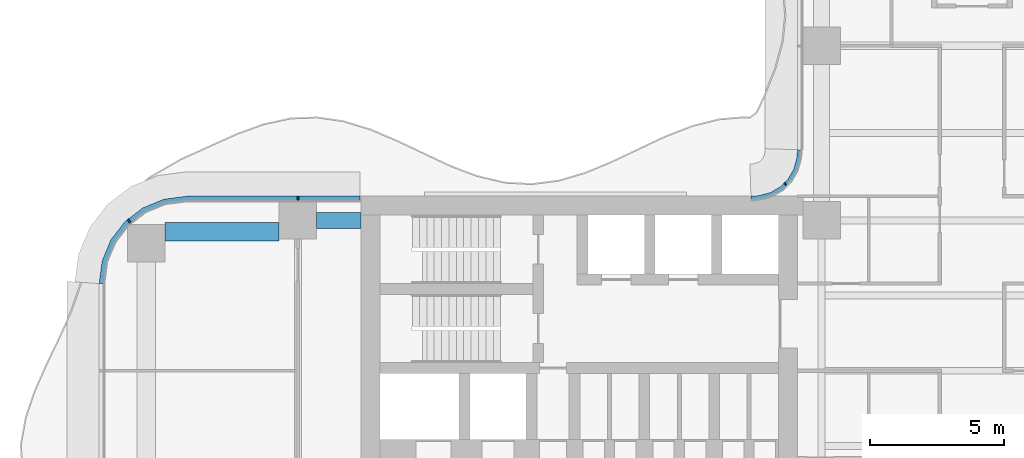
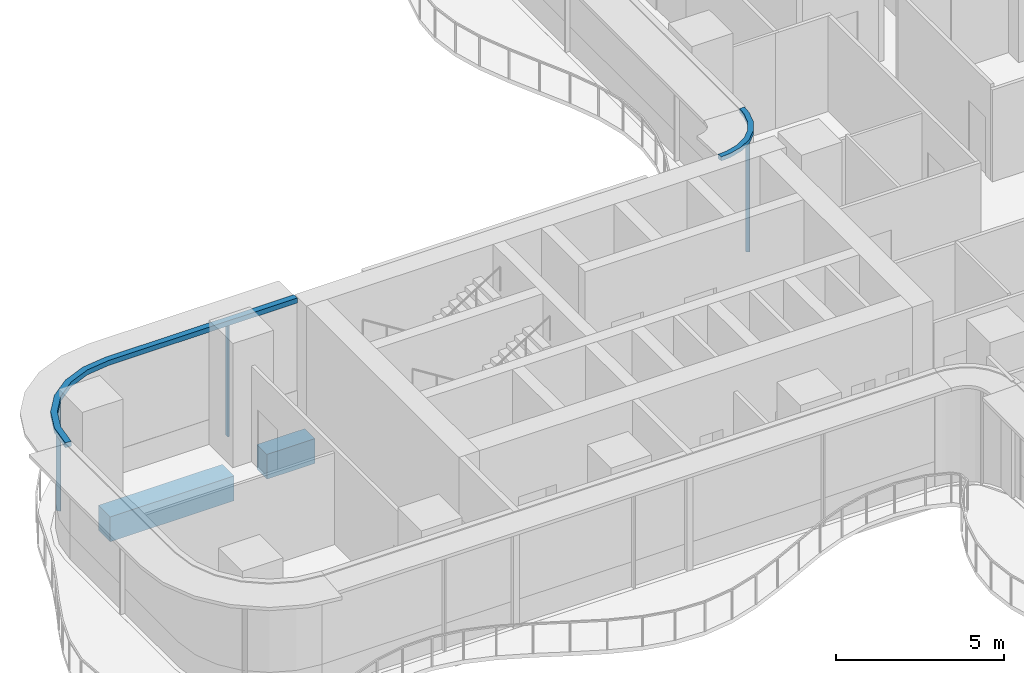
# One storey, part 8 of 22: 5 members, 2 beams, 2 elements without a shape of their own.
"""IFC4 building model written with IfcOpenShell, lengths in metres."""

from ifc_helpers import new_model, si_unit, direction, frame, origin, origin_2d, place, context, subcontext, project, spatial, polyline, rectangle, outline, extrude, source, transform, mapped, material, layer, layer_set, material_profile, profile_set, type_object, element, aggregate, save


model = new_model("IFC4")

# Units and contexts
model_context = context("Model", 3, precision=1e-05, world=origin(), true_north=direction((0.0, 1.0)))
body_context = subcontext(model_context, "Body", "Model", "MODEL_VIEW")
ifc_project = project(units=[si_unit("LENGTHUNIT", "METRE"), si_unit("AREAUNIT", "SQUARE_METRE"), si_unit("VOLUMEUNIT", "CUBIC_METRE"), si_unit("PLANEANGLEUNIT", "RADIAN"), si_unit("MASSUNIT", "GRAM", prefix="KILO")], contexts=[model_context])

# Site, building, storey
site_placement = place(None, origin())
site = spatial("IfcSite", under=ifc_project, at=site_placement, CompositionType="ELEMENT")
building_placement = place(site_placement, origin())
building = spatial("IfcBuilding", under=site, at=building_placement, Name="Trellis Farm Tower", CompositionType="ELEMENT")
storey_placement = place(building_placement, frame((0.0, 0.0, 79.0)))
storey = spatial("IfcBuildingStorey", under=building, at=storey_placement, Name="L16", CompositionType="ELEMENT", Elevation=79.0)

# Beams
ifc_material_1 = material(Name="Concrete C60/75", Category="concrete")
ifc_material_profile_1 = material_profile(ifc_material_1, rectangle(XDim=0.699951171875, YDim=0.89990234375, at=origin_2d()), Name="RC spandrel beam 700x900 C60/75")
ifc_profile_set_1 = profile_set([ifc_material_profile_1], Name="Concrete C60/75")
beam_type_1 = type_object("IfcBeamType", Name="RC spandrel beam 700x900 C60/75", PredefinedType="SPANDREL", material=ifc_profile_set_1)
shared_shape_1 = source(origin(), body_context, "Body", "SweptSolid", [
    extrude(rectangle(XDim=0.699951171875, YDim=0.89990234375, at=origin_2d()), origin(), (0.0, 0.0, 1.0), 4.25),
])
beam_1_placement = place(storey_placement, frame((-30.050048828125, 5.175048828125, -0.699951171875), z_axis=(1.0, 0.0, 0.0), x_axis=(0.0, 1.0, 0.0)))
element("IfcBeam", 1, at=beam_1_placement, inside=storey, type_object=beam_type_1, Name="Girder", PredefinedType="SPANDREL", context=body_context, shape_type="MappedRepresentation", body=[
    mapped(shared_shape_1, transform((0.0, 0.0, 0.0))),
])
ifc_material_profile_2 = material_profile(ifc_material_1, rectangle(XDim=0.60009765625, YDim=0.89990234375, at=origin_2d()), Name="RC spandrel beam 600x900 C60/75")
ifc_profile_set_2 = profile_set([ifc_material_profile_2], Name="Concrete C60/75")
beam_type_2 = type_object("IfcBeamType", Name="RC spandrel beam 600x900 C60/75", PredefinedType="SPANDREL", material=ifc_profile_set_2)
shared_shape_2 = source(origin(), body_context, "Body", "SweptSolid", [
    extrude(rectangle(XDim=0.60009765625, YDim=0.89990234375, at=origin_2d()), origin(), (0.0, 0.0, 1.0), 1.64990234375),
])
beam_2_placement = place(storey_placement, frame((-24.39990234375, 5.60009765625, -0.699951171875), z_axis=(1.0, 0.0, 0.0), x_axis=(0.0, 1.0, 0.0)))
element("IfcBeam", 2, at=beam_2_placement, inside=storey, type_object=beam_type_2, Name="Girder", PredefinedType="SPANDREL", context=body_context, shape_type="MappedRepresentation", body=[
    mapped(shared_shape_2, transform((0.0, 0.0, 0.0))),
])

# Curtain wall, members
ifc_material_2 = material(Name="Aluminium and glass curtain wall", Category="aluminium")
ifc_layer_1 = layer(ifc_material_2, 0.18994140625)
ifc_layer_set_1 = layer_set([ifc_layer_1], Name="RIBBON CURTAIN WALL CW1")
curtain_wall_type_1 = type_object("IfcCurtainWallType", Name="RIBBON CURTAIN WALL CW1", PredefinedType="NOTDEFINED", material=ifc_layer_set_1)
placement = place(storey_placement, origin())
curtain_wall_1 = element("IfcCurtainWall", 3, at=placement, inside=storey, type_object=curtain_wall_type_1, Name="CW1 012", PredefinedType="NOTDEFINED")
ifc_material_3 = material(Name="Aluminium extrusion 6063-T6", Category="aluminium")
ifc_material_profile_3 = material_profile(ifc_material_3, rectangle(XDim=0.06005859375, YDim=0.14990234375, at=origin_2d()), Name="MULLION 60x150")
ifc_profile_set_3 = profile_set([ifc_material_profile_3], Name="Aluminium extrusion 6063-T6")
member_type_1 = type_object("IfcMemberType", Name="CW1 MULLION 60x150", PredefinedType="MULLION", material=ifc_profile_set_3)
shared_shape_3 = source(origin(), body_context, "Body", "SweptSolid", [
    extrude(rectangle(XDim=0.06005859375, YDim=0.14990234375, at=origin_2d()), origin(), (0.0, 0.0, 1.0), 4.070068359375),
])
member_1_placement = place(storey_placement, frame((-25.10009765625, 6.425048828125, 0.0), z_axis=(0.0, 0.0, 1.0), x_axis=(-1.0, 0.0, 0.0)))
member_1 = element("IfcMember", 4, at=member_1_placement, type_object=member_type_1, Name="MU1 012-01", PredefinedType="MULLION", context=body_context, shape_type="MappedRepresentation", body=[
    mapped(shared_shape_3, transform((0.0, 0.0, 0.0))),
])
member_2_placement = place(storey_placement, frame((-31.385498046875, 5.578369140625, 0.0), z_axis=(0.0, 0.0, 1.0), x_axis=(-0.793353340291, -0.608761429009, 0.0)))
member_2 = element("IfcMember", 5, at=member_2_placement, type_object=member_type_1, Name="MU1 012-02", PredefinedType="MULLION", context=body_context, shape_type="MappedRepresentation", body=[
    mapped(shared_shape_3, transform((0.0, 0.0, 0.0))),
])

ifc_layer_2 = layer(ifc_material_2, 0.166015625)
ifc_layer_set_2 = layer_set([ifc_layer_2], Name="WINTER GARDEN CURTAIN WALL CW3")
curtain_wall_type_2 = type_object("IfcCurtainWallType", Name="WINTER GARDEN CURTAIN WALL CW3", PredefinedType="NOTDEFINED", material=ifc_layer_set_2)
curtain_wall_2 = element("IfcCurtainWall", 6, at=placement, inside=storey, type_object=curtain_wall_type_2, Name="CW3 004", PredefinedType="NOTDEFINED")
ifc_material_profile_4 = material_profile(ifc_material_3, rectangle(XDim=0.050048828125, YDim=0.1201171875, at=origin_2d()), Name="MULLION 50x120")
ifc_profile_set_4 = profile_set([ifc_material_profile_4], Name="Aluminium extrusion 6063-T6")
member_type_2 = type_object("IfcMemberType", Name="CW3 MULLION 50x120", PredefinedType="MULLION", material=ifc_profile_set_4)
shared_shape_4 = source(origin(), body_context, "Body", "SweptSolid", [
    extrude(rectangle(XDim=0.050048828125, YDim=0.1201171875, at=origin_2d()), origin(), (0.0, 0.0, 1.0), 4.10009765625),
])
member_3_placement = place(storey_placement, frame((-6.953125, 6.953125, 0.0), z_axis=(0.0, 0.0, 1.0), x_axis=(-0.707106781187, -0.707106781187, 0.0)))
member_3 = element("IfcMember", 7, at=member_3_placement, type_object=member_type_2, Name="MU3 004-01", PredefinedType="MULLION", context=body_context, shape_type="MappedRepresentation", body=[
    mapped(shared_shape_4, transform((0.0, 0.0, 0.0))),
])
ifc_layer_3 = layer(ifc_material_3, 0.169921875)
ifc_layer_set_3 = layer_set([ifc_layer_3], Name="Aluminium extrusion 6063-T6")
member_type_3 = type_object("IfcMemberType", Name="CW3 TRANSOM 170x150", PredefinedType="USERDEFINED", material=ifc_layer_set_3)
shared_shape_5 = source(origin(), body_context, "Body", "SweptSolid", [
    extrude(outline(polyline([(-6.5, 8.2314453125), (-6.513916015625, 8.01953125), (-6.527587890625, 7.91552734375), (-6.63671875, 7.508544921875), (-6.846923828125, 7.144287109375), (-7.144287109375, 6.846923828125), (-7.508544921875, 6.63671875), (-7.91552734375, 6.527587890625), (-8.01953125, 6.513916015625), (-8.2314453125, 6.5), (-8.225830078125, 6.330078125), (-8.0029296875, 6.3447265625), (-7.88232421875, 6.360595703125), (-7.44287109375, 6.478271484375), (-7.0400390625, 6.7109375), (-6.7109375, 7.0400390625), (-6.478271484375, 7.44287109375), (-6.360595703125, 7.88232421875), (-6.3447265625, 8.0029296875), (-6.330078125, 8.225830078125), (-6.5, 8.2314453125)])), origin(), (0.0, 0.0, 1.0), 0.14990234375),
])
member_4_placement = place(storey_placement, frame((0.0, 0.0, 4.10009765625)))
member_4 = element("IfcMember", 8, at=member_4_placement, type_object=member_type_3, Name="TR3 004", ObjectType="TRANSOM", PredefinedType="USERDEFINED", context=body_context, shape_type="MappedRepresentation", body=[
    mapped(shared_shape_5, transform((0.0, 0.0, 0.0))),
])
aggregate(curtain_wall_2, [member_3, member_4])

# Member
ifc_layer_4 = layer(ifc_material_3, 0.199951171875)
ifc_layer_set_4 = layer_set([ifc_layer_4], Name="Aluminium extrusion 6063-T6")
member_type_4 = type_object("IfcMemberType", Name="CW1 TRANSOM 200x180", PredefinedType="USERDEFINED", material=ifc_layer_set_4)
shared_shape_6 = source(origin(), body_context, "Body", "SweptSolid", [
    extrude(outline(polyline([(-22.780029296875, 6.5), (-29.25, 6.5), (-30.091064453125, 6.38916015625), (-30.875, 6.064697265625), (-31.548095703125, 5.548095703125), (-32.064697265625, 4.875), (-32.38916015625, 4.091064453125), (-32.5, 3.25), (-32.300048828125, 3.23681640625), (-32.1943359375, 4.0390625), (-31.889892578125, 4.774169921875), (-31.405517578125, 5.405517578125), (-30.774169921875, 5.889892578125), (-30.0390625, 6.1943359375), (-29.23681640625, 6.300048828125), (-22.780029296875, 6.300048828125), (-22.780029296875, 6.5)])), origin(), (0.0, 0.0, 1.0), 0.179931640625),
])
member_5_placement = place(storey_placement, frame((0.0, 0.0, 4.070068359375)))
member_5 = element("IfcMember", 9, at=member_5_placement, type_object=member_type_4, Name="TR1 012", ObjectType="TRANSOM", PredefinedType="USERDEFINED", context=body_context, shape_type="MappedRepresentation", body=[
    mapped(shared_shape_6, transform((0.0, 0.0, 0.0))),
])

aggregate(curtain_wall_1, [member_1, member_2, member_5])

save(model, "model.ifc")
